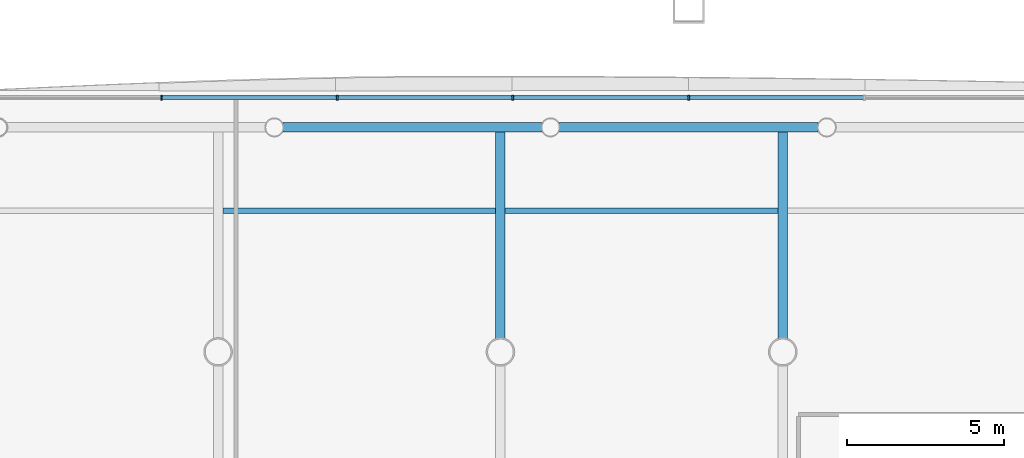
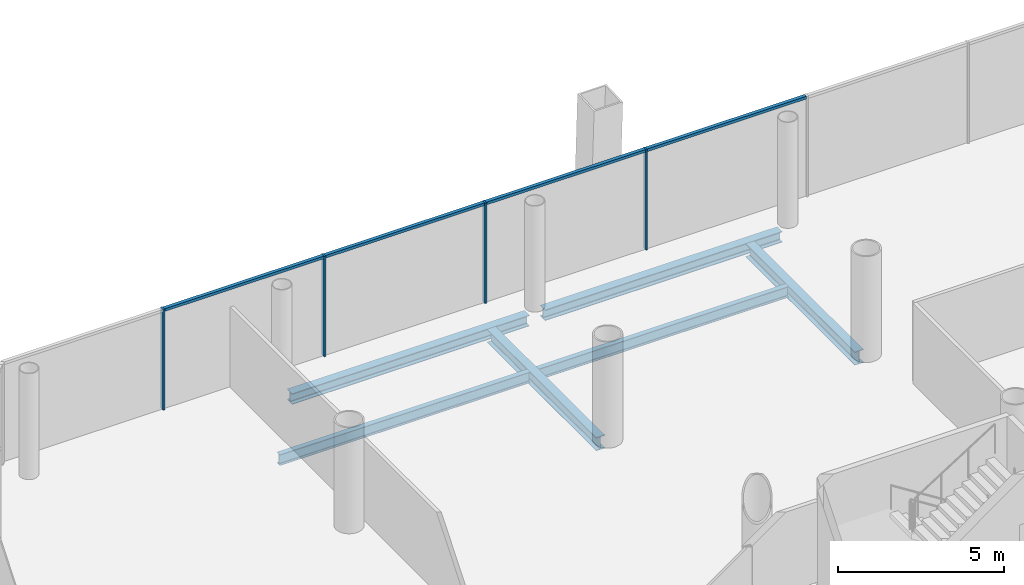
# One storey, part 9 of 20: 8 members, 6 beams, 1 element without a shape of its own.
"""IFC4 building model written with IfcOpenShell, lengths in metres."""

from ifc_helpers import new_model, si_unit, direction, frame, origin, origin_2d, place, context, subcontext, project, spatial, rectangle, i_section, extrude, material, material_profile, profile_set, type_object, element, aggregate, save


model = new_model("IFC4")

# Units and contexts
model_context = context("Model", 3, precision=1e-05, world=origin(), true_north=direction((0.0, 1.0)))
body_context = subcontext(model_context, "Body", "Model", "MODEL_VIEW")
ifc_project = project(units=[si_unit("LENGTHUNIT", "METRE"), si_unit("AREAUNIT", "SQUARE_METRE"), si_unit("VOLUMEUNIT", "CUBIC_METRE"), si_unit("PLANEANGLEUNIT", "RADIAN"), si_unit("MASSUNIT", "GRAM", prefix="KILO")], contexts=[model_context])

# Site, building, storey
site_placement = place(None, origin())
site = spatial("IfcSite", under=ifc_project, at=site_placement, CompositionType="ELEMENT")
building_placement = place(site_placement, origin())
building = spatial("IfcBuilding", under=site, at=building_placement, Name="Tskaro Facet Tower", CompositionType="ELEMENT")
storey_placement = place(building_placement, frame((0.0, 0.0, 49.800048828125)))
storey = spatial("IfcBuildingStorey", under=building, at=storey_placement, Name="L11", CompositionType="ELEMENT", Elevation=49.800048828125)

# Curtain wall, members
ifc_material_1 = material(Name="Bronze anodised aluminium 6063-T6", Category="aluminium")
curtain_wall_type = type_object("IfcCurtainWallType", Name="Bronze office curtain wall (FW1)", PredefinedType="NOTDEFINED", material=ifc_material_1)
curtain_wall_placement = place(storey_placement, origin())
curtain_wall = element("IfcCurtainWall", 1, at=curtain_wall_placement, inside=storey, type_object=curtain_wall_type, Name="FW1 north facet L11", PredefinedType="NOTDEFINED")
ifc_material_profile_1 = material_profile(ifc_material_1, rectangle(XDim=0.06005859375, YDim=0.159912109375, at=origin_2d()), Name="Mullion 60x160")
ifc_profile_set_1 = profile_set([ifc_material_profile_1], Name="Bronze anodised aluminium 6063-T6")
member_type_1 = type_object("IfcMemberType", Name="FW1 bronze mullion 60x160", PredefinedType="MULLION", material=ifc_profile_set_1)
member_1_placement = place(storey_placement, frame((-3.0, 26.10693359375, 0.0), z_axis=(0.0, 0.0, 1.0), x_axis=(-1.0, 0.0, 0.0)))
member_1 = element("IfcMember", 2, at=member_1_placement, type_object=member_type_1, Name="FW1 north mullion 4", PredefinedType="MULLION", context=body_context, shape_type="SweptSolid", body=[
    extrude(rectangle(XDim=0.06005859375, YDim=0.159912109375, at=origin_2d()), origin(), (0.0, 0.0, 1.0), 3.699951171875),
])
member_2_placement = place(storey_placement, frame((-8.601318359375, 26.10693359375, 0.0), z_axis=(0.0, 0.0, 1.0), x_axis=(-1.0, 0.0, 0.0)))
member_2 = element("IfcMember", 3, at=member_2_placement, type_object=member_type_1, Name="FW1 north mullion 5", PredefinedType="MULLION", context=body_context, shape_type="SweptSolid", body=[
    extrude(rectangle(XDim=0.06005859375, YDim=0.159912109375, at=origin_2d()), origin(), (0.0, 0.0, 1.0), 3.699951171875),
])
member_3_placement = place(storey_placement, frame((-14.202392578125, 26.10693359375, 0.0), z_axis=(0.0, 0.0, 1.0), x_axis=(-1.0, 0.0, 0.0)))
member_3 = element("IfcMember", 4, at=member_3_placement, type_object=member_type_1, Name="FW1 north mullion 6", PredefinedType="MULLION", context=body_context, shape_type="SweptSolid", body=[
    extrude(rectangle(XDim=0.06005859375, YDim=0.159912109375, at=origin_2d()), origin(), (0.0, 0.0, 1.0), 3.699951171875),
])
member_4_placement = place(storey_placement, frame((-19.8037109375, 26.10693359375, 0.0), z_axis=(0.0, 0.0, 1.0), x_axis=(-1.0, 0.0, 0.0)))
member_4 = element("IfcMember", 5, at=member_4_placement, type_object=member_type_1, Name="FW1 north mullion 7", PredefinedType="MULLION", context=body_context, shape_type="SweptSolid", body=[
    extrude(rectangle(XDim=0.06005859375, YDim=0.159912109375, at=origin_2d()), origin(), (0.0, 0.0, 1.0), 3.699951171875),
])
ifc_material_profile_2 = material_profile(ifc_material_1, rectangle(XDim=0.1201171875, YDim=0.10009765625, at=origin_2d()), Name="Transom 120x100")
ifc_profile_set_2 = profile_set([ifc_material_profile_2], Name="Bronze anodised aluminium 6063-T6")
member_type_2 = type_object("IfcMemberType", Name="FW1 bronze transom 120x100", PredefinedType="USERDEFINED", material=ifc_profile_set_2)
member_5_placement = place(storey_placement, frame((2.5712890625, 26.10693359375, 3.64990234375), z_axis=(-1.0, 0.0, 0.0), x_axis=(0.0, -1.0, 0.0)))
member_5 = element("IfcMember", 6, at=member_5_placement, type_object=member_type_2, Name="FW1 north transom 4.1", ObjectType="TRANSOM", PredefinedType="USERDEFINED", context=body_context, shape_type="SweptSolid", body=[
    extrude(rectangle(XDim=0.1201171875, YDim=0.10009765625, at=origin_2d()), origin(), (0.0, 0.0, 1.0), 5.541259765625),
])
member_6_placement = place(storey_placement, frame((-3.030029296875, 26.10693359375, 3.64990234375), z_axis=(-1.0, 0.0, 0.0), x_axis=(0.0, -1.0, 0.0)))
member_6 = element("IfcMember", 7, at=member_6_placement, type_object=member_type_2, Name="FW1 north transom 5.1", ObjectType="TRANSOM", PredefinedType="USERDEFINED", context=body_context, shape_type="SweptSolid", body=[
    extrude(rectangle(XDim=0.1201171875, YDim=0.10009765625, at=origin_2d()), origin(), (0.0, 0.0, 1.0), 5.541259765625),
])
member_7_placement = place(storey_placement, frame((-8.63134765625, 26.10693359375, 3.64990234375), z_axis=(-1.0, 0.0, 0.0), x_axis=(0.0, -1.0, 0.0)))
member_7 = element("IfcMember", 8, at=member_7_placement, type_object=member_type_2, Name="FW1 north transom 6.1", ObjectType="TRANSOM", PredefinedType="USERDEFINED", context=body_context, shape_type="SweptSolid", body=[
    extrude(rectangle(XDim=0.1201171875, YDim=0.10009765625, at=origin_2d()), origin(), (0.0, 0.0, 1.0), 5.541259765625),
])
member_8_placement = place(storey_placement, frame((-14.232421875, 26.10693359375, 3.64990234375), z_axis=(-1.0, 0.0, 0.0), x_axis=(0.0, -1.0, 0.0)))
member_8 = element("IfcMember", 9, at=member_8_placement, type_object=member_type_2, Name="FW1 north transom 7.1", ObjectType="TRANSOM", PredefinedType="USERDEFINED", context=body_context, shape_type="SweptSolid", body=[
    extrude(rectangle(XDim=0.1201171875, YDim=0.10009765625, at=origin_2d()), origin(), (0.0, 0.0, 1.0), 5.541259765625),
])
aggregate(curtain_wall, [member_1, member_2, member_3, member_4, member_5, member_6, member_7, member_8])

# Beams
ifc_material_2 = material(Name="Steel S355J2", Category="steel")
ifc_material_profile_3 = material_profile(ifc_material_2, i_section(OverallWidth=0.300048828125, OverallDepth=0.39990234375, WebThickness=0.013427734375, FlangeThickness=0.02392578125, FilletRadius=0.027099609375, at=origin_2d()), Name="HE 400 B")
ifc_profile_set_3 = profile_set([ifc_material_profile_3], Name="Steel S355J2")
beam_type_1 = type_object("IfcBeamType", Name="HE 400 B ring beam", PredefinedType="BEAM", material=ifc_profile_set_3)
beam_1_placement = place(storey_placement, frame((1.126953125, 25.156982421875, -0.340087890625), z_axis=(-1.0, 0.0, 0.0), x_axis=(0.0, -1.0, 0.0)))
element("IfcBeam", 10, at=beam_1_placement, inside=storey, type_object=beam_type_1, Name="HE 400 B EB16-1", PredefinedType="BEAM", context=body_context, shape_type="SweptSolid", body=[
    extrude(i_section(OverallWidth=0.300048828125, OverallDepth=0.39990234375, WebThickness=0.013427734375, FlangeThickness=0.02392578125, FilletRadius=0.027099609375, at=origin_2d()), origin(), (0.0, 0.0, 1.0), 8.25390625),
])
beam_2_placement = place(storey_placement, frame((-7.677001953125, 25.156982421875, -0.340087890625), z_axis=(-1.0, 0.0, 0.0), x_axis=(0.0, -1.0, 0.0)))
element("IfcBeam", 11, at=beam_2_placement, inside=storey, type_object=beam_type_1, Name="HE 400 B EB17-1", PredefinedType="BEAM", context=body_context, shape_type="SweptSolid", body=[
    extrude(i_section(OverallWidth=0.300048828125, OverallDepth=0.39990234375, WebThickness=0.013427734375, FlangeThickness=0.02392578125, FilletRadius=0.027099609375, at=origin_2d()), origin(), (0.0, 0.0, 1.0), 8.2548828125),
])
ifc_material_profile_4 = material_profile(ifc_material_2, i_section(OverallWidth=0.300048828125, OverallDepth=0.489990234375, WebThickness=0.011962890625, FlangeThickness=0.02294921875, FilletRadius=0.027099609375, at=origin_2d()), Name="HE 500 A")
ifc_profile_set_4 = profile_set([ifc_material_profile_4], Name="Steel S355J2")
beam_type_2 = type_object("IfcBeamType", Name="HE 500 A girder", PredefinedType="BEAM", material=ifc_profile_set_4)
for number, where, z_axis, x_axis, name in (
    (12, (-9.0, 18.42724609375, -0.385009765625), (0.0, 1.0, 0.0), (-1.0, 0.0, 0.0), "HE 500 A GB3-5-1"),
    (13, (0.0, 18.42724609375, -0.385009765625), (0.0, 1.0, 0.0), (-1.0, 0.0, 0.0), "HE 500 A GB4-5-1"),
):
    element("IfcBeam", number, at=place(storey_placement, frame(where, z_axis=z_axis, x_axis=x_axis)), inside=storey, type_object=beam_type_2, Name=name, PredefinedType="BEAM", context=body_context, shape_type="SweptSolid", body=[
        extrude(i_section(OverallWidth=0.300048828125, OverallDepth=0.489990234375, WebThickness=0.011962890625, FlangeThickness=0.02294921875, FilletRadius=0.027099609375, at=origin_2d()), origin(), (0.0, 0.0, 1.0), 6.579833984375),
    ])
ifc_material_profile_5 = material_profile(ifc_material_2, i_section(OverallWidth=0.179931640625, OverallDepth=0.39990234375, WebThickness=0.008544921875, FlangeThickness=0.013427734375, FilletRadius=0.02099609375, at=origin_2d()), Name="IPE 400")
ifc_profile_set_5 = profile_set([ifc_material_profile_5], Name="Steel S355J2")
beam_type_3 = type_object("IfcBeamType", Name="IPE 400 secondary beam", PredefinedType="BEAM", material=ifc_profile_set_5)
for number, where, z_axis, x_axis, name in (
    (14, (-17.85009765625, 22.5, -0.340087890625), (1.0, 0.0, 0.0), (0.0, 1.0, 0.0), "IPE 400 SB6a-2-1"),
    (15, (-8.85009765625, 22.5, -0.340087890625), (1.0, 0.0, 0.0), (0.0, 1.0, 0.0), "IPE 400 SB6a-3-1"),
):
    element("IfcBeam", number, at=place(storey_placement, frame(where, z_axis=z_axis, x_axis=x_axis)), inside=storey, type_object=beam_type_3, Name=name, PredefinedType="BEAM", context=body_context, shape_type="SweptSolid", body=[
        extrude(i_section(OverallWidth=0.179931640625, OverallDepth=0.39990234375, WebThickness=0.008544921875, FlangeThickness=0.013427734375, FilletRadius=0.02099609375, at=origin_2d()), origin(), (0.0, 0.0, 1.0), 8.7001953125),
    ])

save(model, "model.ifc")
